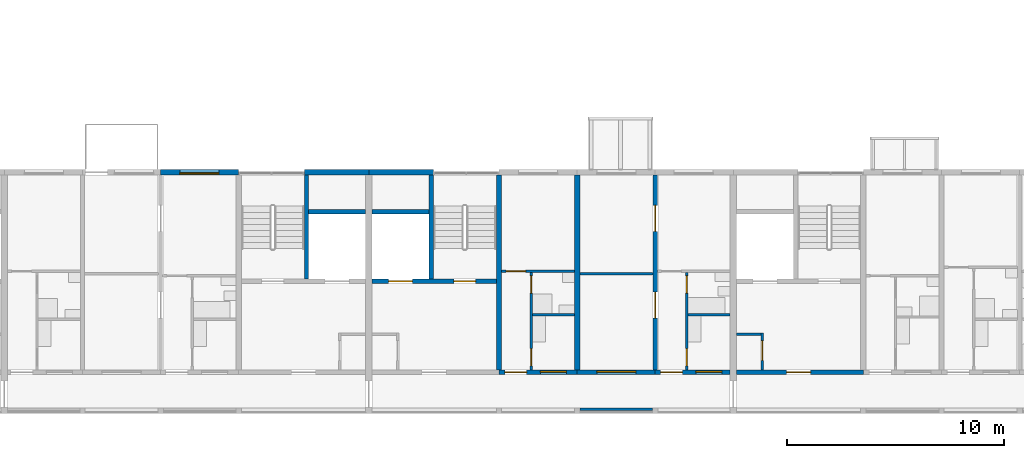
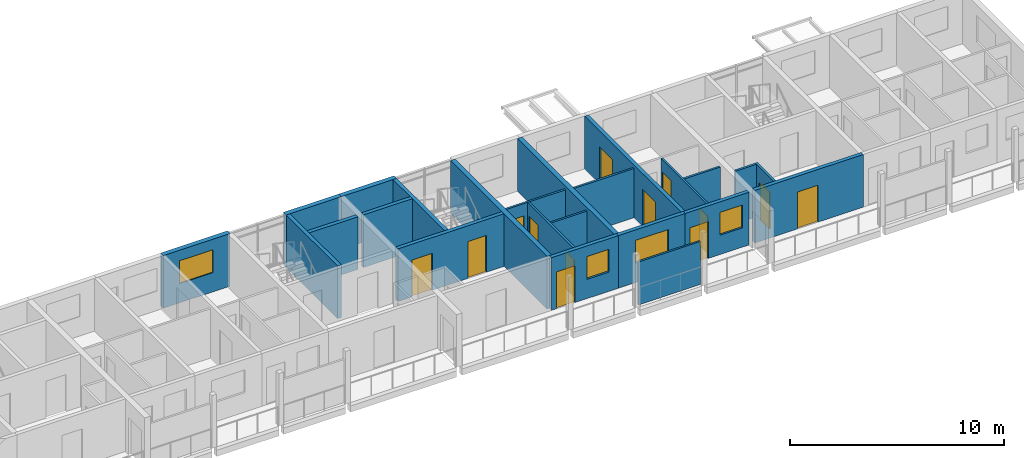
# One storey, part 52 of 99: 24 walls, 13 doors, 4 windows, 17 openings.
"""IFC4 building model written with IfcOpenShell, lengths in metres."""

import ifcopenshell
import ifcopenshell.guid

model = None  # the IFC model being written
_history = None  # IfcOwnerHistory: only IFC2X3 demands one
_inside = {}  # id of a spatial element -> (the spatial element, [elements in it])
_under = {}  # id of a project, library or spatial element -> (it, [spatial elements below it])
_declared = {}  # id of a project -> (the project, [libraries it declares])
_typed = {}  # id of a type object -> (the type object, [elements of that type])
_made_of = {}  # id of a material, layer set ... -> (it, [elements and type objects made of it])


def new_model(schema):
    """Start an empty IFC model of exactly this schema.

    Asked for "IFC4X3", IfcOpenShell would pick the latest addendum, in which some entities
    have other attributes; the version numbers below select the first issue.
    IFC2X3 requires an IfcOwnerHistory on every rooted entity: one is made here for all.
    """
    global model, _history
    if schema == "IFC4X3":
        model = ifcopenshell.file(schema_version=(4, 3, 0, 0))
    else:
        model = ifcopenshell.file(schema=schema)
    _inside.clear()
    _under.clear()
    _declared.clear()
    _typed.clear()
    _made_of.clear()
    _history = None
    if model.schema == "IFC2X3":
        org = make("IfcOrganization", Name="unknown")
        user = make(
            "IfcPersonAndOrganization",
            ThePerson=make("IfcPerson", FamilyName="unknown"),
            TheOrganization=org,
        )
        app = make(
            "IfcApplication",
            ApplicationDeveloper=org,
            Version="unknown",
            ApplicationFullName="unknown",
            ApplicationIdentifier="unknown",
        )
        _history = make(
            "IfcOwnerHistory",
            OwningUser=user,
            OwningApplication=app,
            ChangeAction="ADDED",
            CreationDate=0,
        )
    return model


def make(cls, **values):
    """One entity of the class cls with the attributes given. An attribute that is None is left unset."""
    return model.create_entity(
        cls, **{name: value for name, value in values.items() if value is not None}
    )


def rooted(cls, **values):
    """An entity with a GlobalId (a new one), such as an element, a storey or a relation."""
    return make(cls, GlobalId=ifcopenshell.guid.new(), OwnerHistory=_history, **values)


def si_unit(unit_type, name, prefix=None):
    """IfcSIUnit, for example si_unit("LENGTHUNIT", "METRE", prefix="MILLI")."""
    return make("IfcSIUnit", UnitType=unit_type, Prefix=prefix, Name=name)


def assignment(units):
    """IfcUnitAssignment: the units of a project."""
    return None if units is None else make("IfcUnitAssignment", Units=units)


def point(xyz):
    """IfcCartesianPoint."""
    return None if xyz is None else make("IfcCartesianPoint", Coordinates=xyz)


def direction(xyz):
    """IfcDirection."""
    return None if xyz is None else make("IfcDirection", DirectionRatios=xyz)


def frame(location, z_axis=None, x_axis=None):
    """IfcAxis2Placement3D, a coordinate frame: its origin and axes. An axis left out is left unset."""
    return make(
        "IfcAxis2Placement3D",
        Location=point(location),
        Axis=direction(z_axis),
        RefDirection=direction(x_axis),
    )


def frame_2d(location, x_axis=None):
    """IfcAxis2Placement2D, a coordinate frame in the plane: its origin and x axis."""
    return make(
        "IfcAxis2Placement2D", Location=point(location), RefDirection=direction(x_axis)
    )


def origin():
    """The frame at (0, 0, 0) with its axes left unset."""
    return frame((0.0, 0.0, 0.0))


def place(relative_to, where):
    """IfcLocalPlacement: puts the frame where relative to a parent placement (None: the world)."""
    return make(
        "IfcLocalPlacement", PlacementRelTo=relative_to, RelativePlacement=where
    )


def context(
    kind, dimensions, precision=None, world=None, true_north=None, identifier=None
):
    """IfcGeometricRepresentationContext, for example the 3D "Model" context."""
    return make(
        "IfcGeometricRepresentationContext",
        ContextIdentifier=identifier,
        ContextType=kind,
        CoordinateSpaceDimension=dimensions,
        Precision=precision,
        WorldCoordinateSystem=world,
        TrueNorth=true_north,
    )


def subcontext(parent, identifier, kind, view, scale=None):
    """IfcGeometricRepresentationSubContext, for example "Body" below "Model"."""
    return make(
        "IfcGeometricRepresentationSubContext",
        ContextIdentifier=identifier,
        ContextType=kind,
        ParentContext=parent,
        TargetScale=scale,
        TargetView=view,
    )


def project(units=None, contexts=None):
    """IfcProject with its units and contexts."""
    return rooted(
        "IfcProject",
        Name="project",
        RepresentationContexts=contexts,
        UnitsInContext=assignment(units),
    )


def spatial(cls, under=None, at=None, **own):
    """A site, building, storey or space (cls), placed at a placement, below another one or the project."""
    s = rooted(cls, ObjectPlacement=at, **own)
    if under is not None:
        _under.setdefault(under.id(), (under, []))[1].append(s)
    return s


def profile(cls, at=None, kind="AREA", **sizes):
    """A parametric profile (cls). Its sizes go by their IFC names, for example OverallWidth=200.0."""
    return make(cls, ProfileType=kind, Position=at, **sizes)


def rectangle(**sizes):
    """IfcRectangleProfileDef."""
    return profile("IfcRectangleProfileDef", **sizes)


def extrude(swept, where, along, depth):
    """IfcExtrudedAreaSolid: the profile swept, set in the frame where, extruded along a direction by depth."""
    return make(
        "IfcExtrudedAreaSolid",
        SweptArea=swept,
        Position=where,
        ExtrudedDirection=direction(along),
        Depth=depth,
    )


def shape(context_of_items, identifier, shape_type, items):
    """IfcShapeRepresentation: the items that make up one representation, for example the "Body"."""
    return make(
        "IfcShapeRepresentation",
        ContextOfItems=context_of_items,
        RepresentationIdentifier=identifier,
        RepresentationType=shape_type,
        Items=items,
    )


def material(Name=None, Category=None):
    """IfcMaterial."""
    return make("IfcMaterial", Name=Name, Category=Category)


def layer(
    of_material, thickness, ventilated=None, Name=None, Category=None, Priority=None
):
    """IfcMaterialLayer: one layer of a wall or slab, of a material (None: an air gap)."""
    return make(
        "IfcMaterialLayer",
        Material=of_material,
        LayerThickness=thickness,
        IsVentilated=ventilated,
        Name=Name,
        Category=Category,
        Priority=Priority,
    )


def layer_set(layers, Name=None):
    """IfcMaterialLayerSet."""
    return make("IfcMaterialLayerSet", MaterialLayers=layers, LayerSetName=Name)


def made_of(thing, what):
    """Note that an element or type object is made of a material, layer set ...; save() writes the relation."""
    if what is not None:
        _made_of.setdefault(what.id(), (what, []))[1].append(thing)
    return thing


def type_object(cls, material=None, **own):
    """A type object (cls), such as IfcWallType, which elements share."""
    return made_of(rooted(cls, **own), material)


def element(
    cls,
    number,
    at=None,
    inside=None,
    cuts=None,
    type_object=None,
    material=None,
    context=None,
    identifier="Body",
    shape_type=None,
    held_by="IfcProductDefinitionShape",
    body=None,
    shapes=None,
    **own,
):
    """One element of the class cls, such as IfcWall. Its Tag is "e" and its number.

    at: its placement. inside: the storey or other place that contains it. cuts: it is an
    opening in that element (IfcRelVoidsElement). A single representation is given by context,
    identifier, shape_type and body (its items); several are given by shapes. held_by: the class
    of the entity that holds the representations. save() writes the other relations.
    """
    e = rooted(cls, Tag="e%d" % number, ObjectPlacement=at, **own)
    if body is not None:
        shapes = [shape(context, identifier, shape_type, body)]
    if shapes is not None:
        e.Representation = make(held_by, Representations=shapes)
    if inside is not None:
        _inside.setdefault(inside.id(), (inside, []))[1].append(e)
    if cuts is not None:
        rooted(
            "IfcRelVoidsElement", RelatingBuildingElement=cuts, RelatedOpeningElement=e
        )
    if type_object is not None:
        _typed.setdefault(type_object.id(), (type_object, []))[1].append(e)
    return made_of(e, material)


def fill(opening, filler):
    """IfcRelFillsElement: the door or window that sits in an opening."""
    return rooted(
        "IfcRelFillsElement",
        RelatingOpeningElement=opening,
        RelatedBuildingElement=filler,
    )


def aggregate(whole, parts):
    """IfcRelAggregates: a whole, such as a stair, and the parts it consists of."""
    return rooted("IfcRelAggregates", RelatingObject=whole, RelatedObjects=parts)


def save(model, path):
    """Write the relations noted so far, then the file.

    IfcRelAggregates (storeys below a building ...), IfcRelContainedInSpatialStructure (elements
    in a storey), IfcRelDefinesByType, IfcRelAssociatesMaterial and IfcRelDeclares: one each for
    every whole, place, type object, material and project.
    """
    for whole, parts in _under.values():
        aggregate(whole, parts)
    for where, things in _inside.values():
        rooted(
            "IfcRelContainedInSpatialStructure",
            RelatedElements=things,
            RelatingStructure=where,
        )
    for kind, things in _typed.values():
        rooted("IfcRelDefinesByType", RelatedObjects=things, RelatingType=kind)
    for what, things in _made_of.values():
        rooted("IfcRelAssociatesMaterial", RelatedObjects=things, RelatingMaterial=what)
    for by, libraries in _declared.values():
        rooted("IfcRelDeclares", RelatingContext=by, RelatedDefinitions=libraries)
    model.write(path)


model = new_model("IFC4")

# Units and contexts
model_context = context("Model", 3, precision=1e-05, world=origin(), true_north=direction((0.0, 1.0)))
body_context = subcontext(model_context, "Body", "Model", "MODEL_VIEW")
ifc_project = project(units=[si_unit("LENGTHUNIT", "METRE"), si_unit("AREAUNIT", "SQUARE_METRE"), si_unit("VOLUMEUNIT", "CUBIC_METRE"), si_unit("PLANEANGLEUNIT", "RADIAN"), si_unit("MASSUNIT", "GRAM", prefix="KILO")], contexts=[model_context])

# Site, building, storey
site_placement = place(None, origin())
site = spatial("IfcSite", under=ifc_project, at=site_placement, CompositionType="ELEMENT")
building_placement = place(site_placement, origin())
building = spatial("IfcBuilding", under=site, at=building_placement, Name="Ridgestep Commons", CompositionType="ELEMENT")
storey_placement = place(building_placement, frame((0.0, 0.0, 15.0)))
storey = spatial("IfcBuildingStorey", under=building, at=storey_placement, Name="L05", CompositionType="ELEMENT", Elevation=15.0)

# Wall
ifc_material_1 = material(Name="Concrete C30/37", Category="concrete")
ifc_layer_1 = layer(ifc_material_1, 0.25)
ifc_layer_set_1 = layer_set([ifc_layer_1], Name="Core cross wall 250")
wall_type_1 = type_object("IfcWallType", Name="Core cross wall 250", PredefinedType="SHEAR", material=ifc_layer_set_1)
wall_1_placement = place(storey_placement, frame((220.0, 13.75, 0.0), z_axis=(0.0, 0.0, 1.0), x_axis=(0.0, 1.0, 0.0)))
element("IfcWall", 1, at=wall_1_placement, inside=storey, type_object=wall_type_1, Name="Cross wall D-05-2200", PredefinedType="SHEAR", context=body_context, shape_type="SweptSolid", body=[
    extrude(rectangle(XDim=9.0, YDim=0.25, at=frame_2d((4.5, 0.0))), origin(), (0.0, 0.0, 1.0), 3.0),
])

# Wall, opening, door
ifc_material_2 = material(Name="Concrete C30/37", Category="concrete")
ifc_layer_2 = layer(ifc_material_2, 0.199951171875)
ifc_layer_set_2 = layer_set([ifc_layer_2], Name="Core south wall 200")
wall_type_2 = type_object("IfcWallType", Name="Core south wall 200", PredefinedType="SHEAR", material=ifc_layer_set_2)
wall_2_placement = place(storey_placement, frame((230.949951171875, 13.64990234375, 0.0), z_axis=(0.0, 0.0, 1.0), x_axis=(1.0, 0.0, 0.0)))
wall_2 = element("IfcWall", 2, at=wall_2_placement, inside=storey, type_object=wall_type_2, Name="Core south wall D6C L05", PredefinedType="SHEAR", context=body_context, shape_type="SweptSolid", body=[
    extrude(rectangle(XDim=5.85009765625, YDim=0.199951171875, at=frame_2d((2.925048828125, 0.0))), origin(), (0.0, 0.0, 1.0), 3.0),
])
opening_1_placement = place(wall_2_placement, frame((2.3125, 0.0, 0.0)))
opening_1 = element("IfcOpeningElement", 3, at=opening_1_placement, cuts=wall_2, Name="Opening D6C/05/1", PredefinedType="OPENING", context=body_context, shape_type="SweptSolid", body=[
    extrude(rectangle(XDim=1.10009765625, YDim=2.10009765625, at=frame_2d((0.550048828125, 1.050048828125))), frame((0.0, 0.10986328125, 0.0), z_axis=(0.0, -1.0, 0.0), x_axis=(1.0, 0.0, 0.0)), (0.0, 0.0, 1.0), 0.219970703125),
])
ifc_material_3 = material(Name="Steel fire door", Category="steel")
door_type_1 = type_object("IfcDoorType", Name="Lobby door 1100 x 2100 FD60", OperationType="NOTDEFINED", PredefinedType="DOOR", material=ifc_material_3)
door_1_placement = place(opening_1_placement, origin())
door_1 = element("IfcDoor", 4, at=door_1_placement, inside=storey, type_object=door_type_1, Name="Lobby door D6C/05/1", OperationType="SINGLE_SWING_LEFT", OverallHeight=2.10009765625, OverallWidth=1.10009765625, PredefinedType="DOOR", context=body_context, shape_type="SweptSolid", body=[
    extrude(rectangle(XDim=1.10009765625, YDim=2.10009765625, at=frame_2d((0.550048828125, 1.050048828125))), frame((0.0, 0.02490234375, 0.0), z_axis=(0.0, -1.0, 0.0), x_axis=(1.0, 0.0, 0.0)), (0.0, 0.0, 1.0), 0.050048828125),
])
fill(opening_1, door_1)

ifc_material_4 = material(Name="Concrete C30/37", Category="concrete")
ifc_layer_3 = layer(ifc_material_4, 0.1201171875)
ifc_layer_set_3 = layer_set([ifc_layer_3], Name="Core wall 120")
wall_type_3 = type_object("IfcWallType", Name="Core wall 120", PredefinedType="SHEAR", material=ifc_layer_set_3)
wall_3_placement = place(storey_placement, frame((232.139892578125, 13.75, 0.0), z_axis=(0.0, 0.0, 1.0), x_axis=(0.0, 1.0, 0.0)))
wall_3 = element("IfcWall", 5, at=wall_3_placement, inside=storey, type_object=wall_type_3, Name="Core riser w wall D6C L05", PredefinedType="SHEAR", context=body_context, shape_type="SweptSolid", body=[
    extrude(rectangle(XDim=1.719970703125, YDim=0.1201171875, at=frame_2d((0.85986328125, 0.0))), origin(), (0.0, 0.0, 1.0), 3.0),
])
opening_2_placement = place(wall_3_placement, frame((0.449951171875, 0.0, 0.0)))
opening_2 = element("IfcOpeningElement", 6, at=opening_2_placement, cuts=wall_3, Name="Opening D6C/05/4", PredefinedType="OPENING", context=body_context, shape_type="SweptSolid", body=[
    extrude(rectangle(XDim=0.89990234375, YDim=2.10009765625, at=frame_2d((0.449951171875, 1.050048828125))), frame((0.0, 0.070068359375, 0.0), z_axis=(0.0, -1.0, 0.0), x_axis=(1.0, 0.0, 0.0)), (0.0, 0.0, 1.0), 0.14013671875),
])
ifc_material_5 = material(Name="Steel fire door", Category="steel")
door_type_2 = type_object("IfcDoorType", Name="Riser door 900 x 2100 FD60", OperationType="NOTDEFINED", PredefinedType="DOOR", material=ifc_material_5)
door_2_placement = place(opening_2_placement, origin())
door_2 = element("IfcDoor", 7, at=door_2_placement, inside=storey, type_object=door_type_2, Name="Riser door D6C/05/4", OperationType="SINGLE_SWING_RIGHT", OverallHeight=2.10009765625, OverallWidth=0.89990234375, PredefinedType="DOOR", context=body_context, shape_type="SweptSolid", body=[
    extrude(rectangle(XDim=0.89990234375, YDim=2.10009765625, at=frame_2d((0.449951171875, 1.050048828125))), frame((0.0, 0.02490234375, 0.0), z_axis=(0.0, -1.0, 0.0), x_axis=(1.0, 0.0, 0.0)), (0.0, 0.0, 1.0), 0.050048828125),
])
fill(opening_2, door_2)

# Walls
wall_4_placement = place(storey_placement, frame((230.949951171875, 15.409912109375, 0.0), z_axis=(0.0, 0.0, 1.0), x_axis=(1.0, 0.0, 0.0)))
element("IfcWall", 8, at=wall_4_placement, inside=storey, type_object=wall_type_3, Name="Core riser n wall D6C L05", PredefinedType="SHEAR", context=body_context, shape_type="SweptSolid", body=[
    extrude(rectangle(XDim=1.130126953125, YDim=0.1201171875, at=frame_2d((0.56494140625, 0.0))), origin(), (0.0, 0.0, 1.0), 3.0),
])
ifc_material_6 = material(Name="Concrete C30/37", Category="concrete")
ifc_layer_4 = layer(ifc_material_6, 0.199951171875)
ifc_layer_set_4 = layer_set([ifc_layer_4], Name="Core wall 200")
wall_type_4 = type_object("IfcWallType", Name="Core wall 200", PredefinedType="SHEAR", material=ifc_layer_set_4)
wall_5_placement = place(storey_placement, frame((211.125, 17.949951171875, 0.0), z_axis=(0.0, 0.0, 1.0), x_axis=(0.0, 1.0, 0.0)))
element("IfcWall", 9, at=wall_5_placement, inside=storey, type_object=wall_type_4, Name="Core stair wall D4C L05", PredefinedType="SHEAR", context=body_context, shape_type="SweptSolid", body=[
    extrude(rectangle(XDim=4.800048828125, YDim=0.199951171875, at=frame_2d((2.39990234375, 0.0))), origin(), (0.0, 0.0, 1.0), 3.0),
])
wall_6_placement = place(storey_placement, frame((211.22509765625, 21.050048828125, 0.0), z_axis=(0.0, 0.0, 1.0), x_axis=(1.0, 0.0, 0.0)))
element("IfcWall", 10, at=wall_6_placement, inside=storey, type_object=wall_type_4, Name="Core duct wall D4C L05", PredefinedType="SHEAR", context=body_context, shape_type="SweptSolid", body=[
    extrude(rectangle(XDim=2.625, YDim=0.199951171875, at=frame_2d((1.3125, 0.0))), origin(), (0.0, 0.0, 1.0), 3.0),
])

# Wall, openings, doors
wall_7_placement = place(storey_placement, frame((214.14990234375, 17.85009765625, 0.0), z_axis=(0.0, 0.0, 1.0), x_axis=(1.0, 0.0, 0.0)))
wall_7 = element("IfcWall", 11, at=wall_7_placement, inside=storey, type_object=wall_type_4, Name="Core lobby wall D5C L05", PredefinedType="SHEAR", context=body_context, shape_type="SweptSolid", body=[
    extrude(rectangle(XDim=5.72509765625, YDim=0.199951171875, at=frame_2d((2.862548828125, 0.0))), origin(), (0.0, 0.0, 1.0), 3.0),
])
opening_3_placement = place(wall_7_placement, frame((3.77490234375, 0.0, 0.0)))
opening_3 = element("IfcOpeningElement", 12, at=opening_3_placement, cuts=wall_7, Name="Opening D5C/05/2", PredefinedType="OPENING", context=body_context, shape_type="SweptSolid", body=[
    extrude(rectangle(XDim=1.0, YDim=2.10009765625, at=frame_2d((0.5, 1.050048828125))), frame((0.0, 0.10986328125, 0.0), z_axis=(0.0, -1.0, 0.0), x_axis=(1.0, 0.0, 0.0)), (0.0, 0.0, 1.0), 0.219970703125),
])
opening_4_placement = place(wall_7_placement, frame((0.762451171875, 0.0, 0.0)))
opening_4 = element("IfcOpeningElement", 13, at=opening_4_placement, cuts=wall_7, Name="Opening D5C/05/3", PredefinedType="OPENING", context=body_context, shape_type="SweptSolid", body=[
    extrude(rectangle(XDim=1.10009765625, YDim=2.10009765625, at=frame_2d((0.550048828125, 1.050048828125))), frame((0.0, 0.10986328125, 0.0), z_axis=(0.0, -1.0, 0.0), x_axis=(1.0, 0.0, 0.0)), (0.0, 0.0, 1.0), 0.219970703125),
])
ifc_material_7 = material(Name="Stainless steel", Category="steel")
door_type_3 = type_object("IfcDoorType", Name="Lift landing door 1100 x 2100 FD60", OperationType="DOUBLE_DOOR_SLIDING", PredefinedType="DOOR", material=ifc_material_7)
door_3_placement = place(opening_4_placement, origin())
door_3 = element("IfcDoor", 14, at=door_3_placement, inside=storey, type_object=door_type_3, Name="Landing door LD D5C L05", OperationType="DOUBLE_DOOR_SLIDING", OverallHeight=2.10009765625, OverallWidth=1.10009765625, PredefinedType="DOOR", context=body_context, shape_type="SweptSolid", body=[
    extrude(rectangle(XDim=1.10009765625, YDim=2.10009765625, at=frame_2d((0.550048828125, 1.050048828125))), frame((0.0, 0.02490234375, 0.0), z_axis=(0.0, -1.0, 0.0), x_axis=(1.0, 0.0, 0.0)), (0.0, 0.0, 1.0), 0.050048828125),
])
fill(opening_4, door_3)
ifc_material_8 = material(Name="Steel fire door", Category="steel")
door_type_4 = type_object("IfcDoorType", Name="Stair door 1000 x 2100 FD60", OperationType="NOTDEFINED", PredefinedType="DOOR", material=ifc_material_8)
door_4_placement = place(opening_3_placement, origin())
door_4 = element("IfcDoor", 15, at=door_4_placement, inside=storey, type_object=door_type_4, Name="Stair door D5C/05/2", OperationType="SINGLE_SWING_RIGHT", OverallHeight=2.10009765625, OverallWidth=1.0, PredefinedType="DOOR", context=body_context, shape_type="SweptSolid", body=[
    extrude(rectangle(XDim=1.0, YDim=2.10009765625, at=frame_2d((0.5, 1.050048828125))), frame((0.0, 0.02490234375, 0.0), z_axis=(0.0, -1.0, 0.0), x_axis=(1.0, 0.0, 0.0)), (0.0, 0.0, 1.0), 0.050048828125),
])
fill(opening_3, door_4)

# Walls
wall_8_placement = place(storey_placement, frame((216.875, 17.949951171875, 0.0), z_axis=(0.0, 0.0, 1.0), x_axis=(0.0, 1.0, 0.0)))
element("IfcWall", 16, at=wall_8_placement, inside=storey, type_object=wall_type_4, Name="Core stair wall D5C L05", PredefinedType="SHEAR", context=body_context, shape_type="SweptSolid", body=[
    extrude(rectangle(XDim=4.800048828125, YDim=0.199951171875, at=frame_2d((2.39990234375, 0.0))), origin(), (0.0, 0.0, 1.0), 3.0),
])
wall_9_placement = place(storey_placement, frame((214.14990234375, 21.050048828125, 0.0), z_axis=(0.0, 0.0, 1.0), x_axis=(1.0, 0.0, 0.0)))
element("IfcWall", 17, at=wall_9_placement, inside=storey, type_object=wall_type_4, Name="Core duct wall D5C L05", PredefinedType="SHEAR", context=body_context, shape_type="SweptSolid", body=[
    extrude(rectangle(XDim=2.625, YDim=0.199951171875, at=frame_2d((1.3125, 0.0))), origin(), (0.0, 0.0, 1.0), 3.0),
])

# Wall, openings, doors
ifc_material_9 = material(Name="Precast concrete C40/50", Category="concrete")
ifc_layer_5 = layer(ifc_material_9, 0.199951171875)
ifc_layer_set_5 = layer_set([ifc_layer_5], Name="Cross wall 200")
wall_type_5 = type_object("IfcWallType", Name="Cross wall 200", PredefinedType="SHEAR", material=ifc_layer_set_5)
wall_10_placement = place(storey_placement, frame((227.199951171875, 13.75, 0.0), z_axis=(0.0, 0.0, 1.0), x_axis=(0.0, 1.0, 0.0)))
wall_10 = element("IfcWall", 18, at=wall_10_placement, inside=storey, type_object=wall_type_5, Name="Cross wall D-05-2272", PredefinedType="SHEAR", context=body_context, shape_type="SweptSolid", body=[
    extrude(rectangle(XDim=9.0, YDim=0.199951171875, at=frame_2d((4.5, 0.0))), origin(), (0.0, 0.0, 1.0), 3.0),
])
opening_5_placement = place(wall_10_placement, frame((2.39990234375, 0.0, 0.0)))
opening_5 = element("IfcOpeningElement", 19, at=opening_5_placement, cuts=wall_10, Name="Opening D5-05a/5", PredefinedType="OPENING", context=body_context, shape_type="SweptSolid", body=[
    extrude(rectangle(XDim=1.199951171875, YDim=2.10009765625, at=frame_2d((0.60009765625, 1.050048828125))), frame((0.0, 0.10986328125, 0.0), z_axis=(0.0, -1.0, 0.0), x_axis=(1.0, 0.0, 0.0)), (0.0, 0.0, 1.0), 0.219970703125),
])
opening_6_placement = place(wall_10_placement, frame((6.39990234375, 0.0, 0.0)))
opening_6 = element("IfcOpeningElement", 20, at=opening_6_placement, cuts=wall_10, Name="Opening D5-05a/6", PredefinedType="OPENING", context=body_context, shape_type="SweptSolid", body=[
    extrude(rectangle(XDim=1.199951171875, YDim=2.10009765625, at=frame_2d((0.60009765625, 1.050048828125))), frame((0.0, 0.10986328125, 0.0), z_axis=(0.0, -1.0, 0.0), x_axis=(1.0, 0.0, 0.0)), (0.0, 0.0, 1.0), 0.219970703125),
])
ifc_material_10 = material(Name="Timber door leaf", Category="wood")
door_type_5 = type_object("IfcDoorType", Name="Double door 1200 x 2100", OperationType="DOUBLE_DOOR_SINGLE_SWING", PredefinedType="DOOR", material=ifc_material_10)
door_5_placement = place(opening_5_placement, origin())
door_5 = element("IfcDoor", 21, at=door_5_placement, inside=storey, type_object=door_type_5, Name="Double door D5-05a/5", OperationType="DOUBLE_DOOR_SINGLE_SWING", OverallHeight=2.10009765625, OverallWidth=1.199951171875, PredefinedType="DOOR", context=body_context, shape_type="SweptSolid", body=[
    extrude(rectangle(XDim=1.199951171875, YDim=2.10009765625, at=frame_2d((0.60009765625, 1.050048828125))), frame((0.0, 0.02490234375, 0.0), z_axis=(0.0, -1.0, 0.0), x_axis=(1.0, 0.0, 0.0)), (0.0, 0.0, 1.0), 0.050048828125),
])
fill(opening_5, door_5)
door_6_placement = place(opening_6_placement, origin())
door_6 = element("IfcDoor", 22, at=door_6_placement, inside=storey, type_object=door_type_5, Name="Double door D5-05a/6", OperationType="DOUBLE_DOOR_SINGLE_SWING", OverallHeight=2.10009765625, OverallWidth=1.199951171875, PredefinedType="DOOR", context=body_context, shape_type="SweptSolid", body=[
    extrude(rectangle(XDim=1.199951171875, YDim=2.10009765625, at=frame_2d((0.60009765625, 1.050048828125))), frame((0.0, 0.02490234375, 0.0), z_axis=(0.0, -1.0, 0.0), x_axis=(1.0, 0.0, 0.0)), (0.0, 0.0, 1.0), 0.050048828125),
])
fill(opening_6, door_6)

# Wall
ifc_material_11 = material(Name="Precast concrete C40/50", Category="concrete")
ifc_layer_6 = layer(ifc_material_11, 0.25)
ifc_layer_set_6 = layer_set([ifc_layer_6], Name="Cross wall 250")
wall_type_6 = type_object("IfcWallType", Name="Cross wall 250", PredefinedType="SHEAR", material=ifc_layer_set_6)
wall_11_placement = place(storey_placement, frame((223.60009765625, 13.75, 0.0), z_axis=(0.0, 0.0, 1.0), x_axis=(0.0, 1.0, 0.0)))
element("IfcWall", 23, at=wall_11_placement, inside=storey, type_object=wall_type_6, Name="Cross wall D-05-2236", PredefinedType="SHEAR", context=body_context, shape_type="SweptSolid", body=[
    extrude(rectangle(XDim=9.0, YDim=0.25, at=frame_2d((4.5, 0.0))), origin(), (0.0, 0.0, 1.0), 3.0),
])

# Wall, opening, window
ifc_material_12 = material(Name="Precast concrete C40/50", Category="concrete")
ifc_layer_7 = layer(ifc_material_12, 0.25)
ifc_layer_set_7 = layer_set([ifc_layer_7], Name="North facade panel 250")
wall_type_7 = type_object("IfcWallType", Name="North facade panel 250", PredefinedType="SOLIDWALL", material=ifc_layer_set_7)
wall_12_placement = place(storey_placement, frame((204.39990234375, 22.875, 0.0), z_axis=(0.0, 0.0, 1.0), x_axis=(1.0, 0.0, 0.0)))
wall_12 = element("IfcWall", 24, at=wall_12_placement, inside=storey, type_object=wall_type_7, Name="North panel D4T3 L05", PredefinedType="SOLIDWALL", context=body_context, shape_type="SweptSolid", body=[
    extrude(rectangle(XDim=3.60009765625, YDim=0.25, at=frame_2d((1.800048828125, 0.0))), origin(), (0.0, 0.0, 1.0), 3.0),
])
opening_7_placement = place(wall_12_placement, frame((0.887451171875, 0.0, 1.10009765625)))
opening_7 = element("IfcOpeningElement", 25, at=opening_7_placement, cuts=wall_12, Name="Opening W18", PredefinedType="OPENING", context=body_context, shape_type="SweptSolid", body=[
    extrude(rectangle(XDim=1.800048828125, YDim=1.300048828125, at=frame_2d((0.89990234375, 0.64990234375))), frame((0.0, 0.135009765625, 0.0), z_axis=(0.0, -1.0, 0.0), x_axis=(1.0, 0.0, 0.0)), (0.0, 0.0, 1.0), 0.27001953125),
])
ifc_material_13 = material(Name="Aluminium 6063-T6 and glass", Category="aluminium")
window_type_1 = type_object("IfcWindowType", Name="Flat window 1800 x 1300", PartitioningType="DOUBLE_PANEL_VERTICAL", PredefinedType="WINDOW", material=ifc_material_13)
window_1_placement = place(opening_7_placement, origin())
window_1 = element("IfcWindow", 26, at=window_1_placement, inside=storey, type_object=window_type_1, Name="Window D4-05b 4", OverallHeight=1.300048828125, OverallWidth=1.800048828125, PartitioningType="SINGLE_PANEL", PredefinedType="WINDOW", context=body_context, shape_type="SweptSolid", body=[
    extrude(rectangle(XDim=1.800048828125, YDim=1.300048828125, at=frame_2d((0.89990234375, 0.64990234375))), frame((0.0, -0.02490234375, 0.0), z_axis=(0.0, -1.0, 0.0), x_axis=(1.0, 0.0, 0.0)), (0.0, 0.0, 1.0), 0.06005859375),
])
fill(opening_7, window_1)

# Walls
for number, where, z_axis, x_axis, name in (
    (27, (211.02490234375, 22.875, 0.0), (0.0, 0.0, 1.0), (1.0, 0.0, 0.0), "North panel D4C L05"),
    (28, (214.0, 22.875, 0.0), (0.0, 0.0, 1.0), (1.0, 0.0, 0.0), "North panel D5C L05"),
):
    element("IfcWall", number, at=place(storey_placement, frame(where, z_axis=z_axis, x_axis=x_axis)), inside=storey, type_object=wall_type_7, Name=name, PredefinedType="SOLIDWALL", context=body_context, shape_type="SweptSolid", body=[
        extrude(rectangle(XDim=2.97509765625, YDim=0.25, at=frame_2d((1.487548828125, 0.0))), origin(), (0.0, 0.0, 1.0), 3.0),
    ])

# Wall, openings, doors
ifc_material_14 = material(Name="Common brick 110 mm", Category="masonry")
ifc_layer_8 = layer(ifc_material_14, 0.110107421875)
ifc_layer_set_8 = layer_set([ifc_layer_8], Name="Partition 110")
wall_type_8 = type_object("IfcWallType", Name="Partition 110", PredefinedType="PARTITIONING", material=ifc_layer_set_8)
wall_13_placement = place(storey_placement, frame((228.655029296875, 13.75, 0.0), z_axis=(0.0, 0.0, 1.0), x_axis=(0.0, 1.0, 0.0)))
wall_13 = element("IfcWall", 29, at=wall_13_placement, inside=storey, type_object=wall_type_8, Name="Partition D5-05a", PredefinedType="PARTITIONING", context=body_context, shape_type="SweptSolid", body=[
    extrude(rectangle(XDim=4.5, YDim=0.110107421875, at=frame_2d((2.25, 0.0))), origin(), (0.0, 0.0, 1.0), 2.800048828125),
])
opening_8_placement = place(wall_13_placement, frame((0.199951171875, 0.0, 0.0)))
opening_8 = element("IfcOpeningElement", 30, at=opening_8_placement, cuts=wall_13, Name="Opening D5-05a/2", PredefinedType="OPENING", context=body_context, shape_type="SweptSolid", body=[
    extrude(rectangle(XDim=0.800048828125, YDim=2.10009765625, at=frame_2d((0.39990234375, 1.050048828125))), frame((0.0, 0.06494140625, 0.0), z_axis=(0.0, -1.0, 0.0), x_axis=(1.0, 0.0, 0.0)), (0.0, 0.0, 1.0), 0.130126953125),
])
opening_9_placement = place(wall_13_placement, frame((3.550048828125, 0.0, 0.0)))
opening_9 = element("IfcOpeningElement", 31, at=opening_9_placement, cuts=wall_13, Name="Opening D5-05a/3", PredefinedType="OPENING", context=body_context, shape_type="SweptSolid", body=[
    extrude(rectangle(XDim=0.800048828125, YDim=2.10009765625, at=frame_2d((0.39990234375, 1.050048828125))), frame((0.0, 0.06494140625, 0.0), z_axis=(0.0, -1.0, 0.0), x_axis=(1.0, 0.0, 0.0)), (0.0, 0.0, 1.0), 0.130126953125),
])
ifc_material_15 = material(Name="Timber door leaf", Category="wood")
door_type_6 = type_object("IfcDoorType", Name="Internal door 800 x 2100", OperationType="NOTDEFINED", PredefinedType="DOOR", material=ifc_material_15)
door_7_placement = place(opening_8_placement, origin())
door_7 = element("IfcDoor", 32, at=door_7_placement, inside=storey, type_object=door_type_6, Name="Internal door D5-05a/2", OperationType="SINGLE_SWING_RIGHT", OverallHeight=2.10009765625, OverallWidth=0.800048828125, PredefinedType="DOOR", context=body_context, shape_type="SweptSolid", body=[
    extrude(rectangle(XDim=0.800048828125, YDim=2.10009765625, at=frame_2d((0.39990234375, 1.050048828125))), frame((0.0, 0.02490234375, 0.0), z_axis=(0.0, -1.0, 0.0), x_axis=(1.0, 0.0, 0.0)), (0.0, 0.0, 1.0), 0.050048828125),
])
fill(opening_8, door_7)
door_8_placement = place(opening_9_placement, origin())
door_8 = element("IfcDoor", 33, at=door_8_placement, inside=storey, type_object=door_type_6, Name="Internal door D5-05a/3", OperationType="SINGLE_SWING_LEFT", OverallHeight=2.10009765625, OverallWidth=0.800048828125, PredefinedType="DOOR", context=body_context, shape_type="SweptSolid", body=[
    extrude(rectangle(XDim=0.800048828125, YDim=2.10009765625, at=frame_2d((0.39990234375, 1.050048828125))), frame((0.0, 0.02490234375, 0.0), z_axis=(0.0, -1.0, 0.0), x_axis=(1.0, 0.0, 0.0)), (0.0, 0.0, 1.0), 0.050048828125),
])
fill(opening_9, door_8)

# Walls
wall_14_placement = place(storey_placement, frame((228.7099609375, 16.304931640625, 0.0), z_axis=(0.0, 0.0, 1.0), x_axis=(1.0, 0.0, 0.0)))
element("IfcWall", 34, at=wall_14_placement, inside=storey, type_object=wall_type_8, Name="Partition D5-05a", PredefinedType="PARTITIONING", context=body_context, shape_type="SweptSolid", body=[
    extrude(rectangle(XDim=1.93994140625, YDim=0.110107421875, at=frame_2d((0.969970703125, 0.0))), origin(), (0.0, 0.0, 1.0), 2.800048828125),
])
wall_15_placement = place(storey_placement, frame((223.72509765625, 18.205078125, 0.0), z_axis=(0.0, 0.0, 1.0), x_axis=(1.0, 0.0, 0.0)))
element("IfcWall", 35, at=wall_15_placement, inside=storey, type_object=wall_type_8, Name="Partition D5-05a", PredefinedType="PARTITIONING", context=body_context, shape_type="SweptSolid", body=[
    extrude(rectangle(XDim=3.375, YDim=0.110107421875, at=frame_2d((1.6875, 0.0))), origin(), (0.0, 0.0, 1.0), 2.800048828125),
])

# Wall, openings, doors
wall_16_placement = place(storey_placement, frame((221.47998046875, 13.75, 0.0), z_axis=(0.0, 0.0, 1.0), x_axis=(0.0, 1.0, 0.0)))
wall_16 = element("IfcWall", 36, at=wall_16_placement, inside=storey, type_object=wall_type_8, Name="Partition D5-05b", PredefinedType="PARTITIONING", context=body_context, shape_type="SweptSolid", body=[
    extrude(rectangle(XDim=4.5, YDim=0.110107421875, at=frame_2d((2.25, 0.0))), origin(), (0.0, 0.0, 1.0), 2.800048828125),
])
opening_10_placement = place(wall_16_placement, frame((0.199951171875, 0.0, 0.0)))
opening_10 = element("IfcOpeningElement", 37, at=opening_10_placement, cuts=wall_16, Name="Opening D5-05b/2", PredefinedType="OPENING", context=body_context, shape_type="SweptSolid", body=[
    extrude(rectangle(XDim=0.800048828125, YDim=2.10009765625, at=frame_2d((0.39990234375, 1.050048828125))), frame((0.0, 0.06494140625, 0.0), z_axis=(0.0, -1.0, 0.0), x_axis=(1.0, 0.0, 0.0)), (0.0, 0.0, 1.0), 0.130126953125),
])
opening_11_placement = place(wall_16_placement, frame((3.550048828125, 0.0, 0.0)))
opening_11 = element("IfcOpeningElement", 38, at=opening_11_placement, cuts=wall_16, Name="Opening D5-05b/3", PredefinedType="OPENING", context=body_context, shape_type="SweptSolid", body=[
    extrude(rectangle(XDim=0.800048828125, YDim=2.10009765625, at=frame_2d((0.39990234375, 1.050048828125))), frame((0.0, 0.06494140625, 0.0), z_axis=(0.0, -1.0, 0.0), x_axis=(1.0, 0.0, 0.0)), (0.0, 0.0, 1.0), 0.130126953125),
])
door_9_placement = place(opening_10_placement, origin())
door_9 = element("IfcDoor", 39, at=door_9_placement, inside=storey, type_object=door_type_6, Name="Internal door D5-05b/2", OperationType="SINGLE_SWING_RIGHT", OverallHeight=2.10009765625, OverallWidth=0.800048828125, PredefinedType="DOOR", context=body_context, shape_type="SweptSolid", body=[
    extrude(rectangle(XDim=0.800048828125, YDim=2.10009765625, at=frame_2d((0.39990234375, 1.050048828125))), frame((0.0, 0.02490234375, 0.0), z_axis=(0.0, -1.0, 0.0), x_axis=(1.0, 0.0, 0.0)), (0.0, 0.0, 1.0), 0.050048828125),
])
fill(opening_10, door_9)
door_10_placement = place(opening_11_placement, origin())
door_10 = element("IfcDoor", 40, at=door_10_placement, inside=storey, type_object=door_type_6, Name="Internal door D5-05b/3", OperationType="SINGLE_SWING_LEFT", OverallHeight=2.10009765625, OverallWidth=0.800048828125, PredefinedType="DOOR", context=body_context, shape_type="SweptSolid", body=[
    extrude(rectangle(XDim=0.800048828125, YDim=2.10009765625, at=frame_2d((0.39990234375, 1.050048828125))), frame((0.0, 0.02490234375, 0.0), z_axis=(0.0, -1.0, 0.0), x_axis=(1.0, 0.0, 0.0)), (0.0, 0.0, 1.0), 0.050048828125),
])
fill(opening_11, door_10)

# Wall
wall_17_placement = place(storey_placement, frame((221.534912109375, 16.304931640625, 0.0), z_axis=(0.0, 0.0, 1.0), x_axis=(1.0, 0.0, 0.0)))
element("IfcWall", 41, at=wall_17_placement, inside=storey, type_object=wall_type_8, Name="Partition D5-05b", PredefinedType="PARTITIONING", context=body_context, shape_type="SweptSolid", body=[
    extrude(rectangle(XDim=1.940185546875, YDim=0.110107421875, at=frame_2d((0.97021484375, 0.0))), origin(), (0.0, 0.0, 1.0), 2.800048828125),
])

# Wall, opening, door
wall_18_placement = place(storey_placement, frame((220.125, 18.304931640625, 0.0), z_axis=(0.0, 0.0, 1.0), x_axis=(1.0, 0.0, 0.0)))
wall_18 = element("IfcWall", 42, at=wall_18_placement, inside=storey, type_object=wall_type_8, Name="Partition D5-05b", PredefinedType="PARTITIONING", context=body_context, shape_type="SweptSolid", body=[
    extrude(rectangle(XDim=3.35009765625, YDim=0.110107421875, at=frame_2d((1.675048828125, 0.0))), origin(), (0.0, 0.0, 1.0), 2.800048828125),
])
opening_12_placement = place(wall_18_placement, frame((0.199951171875, 0.0, 0.0)))
opening_12 = element("IfcOpeningElement", 43, at=opening_12_placement, cuts=wall_18, Name="Opening D5-05b/4", PredefinedType="OPENING", context=body_context, shape_type="SweptSolid", body=[
    extrude(rectangle(XDim=0.89990234375, YDim=2.10009765625, at=frame_2d((0.449951171875, 1.050048828125))), frame((0.0, 0.06494140625, 0.0), z_axis=(0.0, -1.0, 0.0), x_axis=(1.0, 0.0, 0.0)), (0.0, 0.0, 1.0), 0.130126953125),
])
ifc_material_16 = material(Name="Timber door leaf", Category="wood")
door_type_7 = type_object("IfcDoorType", Name="Internal door 900 x 2100", OperationType="NOTDEFINED", PredefinedType="DOOR", material=ifc_material_16)
door_11_placement = place(opening_12_placement, origin())
door_11 = element("IfcDoor", 44, at=door_11_placement, inside=storey, type_object=door_type_7, Name="Internal door D5-05b/4", OperationType="SINGLE_SWING_LEFT", OverallHeight=2.10009765625, OverallWidth=0.89990234375, PredefinedType="DOOR", context=body_context, shape_type="SweptSolid", body=[
    extrude(rectangle(XDim=0.89990234375, YDim=2.10009765625, at=frame_2d((0.449951171875, 1.050048828125))), frame((0.0, 0.02490234375, 0.0), z_axis=(0.0, -1.0, 0.0), x_axis=(1.0, 0.0, 0.0)), (0.0, 0.0, 1.0), 0.050048828125),
])
fill(opening_12, door_11)

# Wall
ifc_material_17 = material(Name="Precast concrete C30/37", Category="concrete")
ifc_layer_9 = layer(ifc_material_17, 0.10009765625)
ifc_layer_set_9 = layer_set([ifc_layer_9], Name="Perforated gallery screen 3350 x 2450 x 100")
wall_type_9 = type_object("IfcWallType", Name="Perforated gallery screen 3350 x 2450 x 100", PredefinedType="SOLIDWALL", material=ifc_layer_set_9)
wall_19_placement = place(storey_placement, frame((223.72509765625, 11.949951171875, 0.0), z_axis=(0.0, 0.0, 1.0), x_axis=(1.0, 0.0, 0.0)))
element("IfcWall", 45, at=wall_19_placement, inside=storey, type_object=wall_type_9, Name="Gallery screen D5T2 05", PredefinedType="SOLIDWALL", context=body_context, shape_type="SweptSolid", body=[
    extrude(rectangle(XDim=3.349853515625, YDim=0.10009765625, at=frame_2d((1.6748046875, 0.0))), origin(), (0.0, 0.0, 1.0), 2.449951171875),
])

# Wall, openings, door, window
ifc_material_18 = material(Name="Precast concrete C40/50", Category="concrete")
ifc_layer_10 = layer(ifc_material_18, 0.199951171875)
ifc_layer_set_10 = layer_set([ifc_layer_10], Name="South facade panel 200")
wall_type_10 = type_object("IfcWallType", Name="South facade panel 200", PredefinedType="SOLIDWALL", material=ifc_layer_set_10)
wall_20_placement = place(storey_placement, frame((220.0, 13.64990234375, 0.0), z_axis=(0.0, 0.0, 1.0), x_axis=(1.0, 0.0, 0.0)))
wall_20 = element("IfcWall", 46, at=wall_20_placement, inside=storey, type_object=wall_type_10, Name="South panel D5T3 L05", PredefinedType="SOLIDWALL", context=body_context, shape_type="SweptSolid", body=[
    extrude(rectangle(XDim=3.60009765625, YDim=0.199951171875, at=frame_2d((1.800048828125, 0.0))), origin(), (0.0, 0.0, 1.0), 3.0),
])
opening_13_placement = place(wall_20_placement, frame((1.905029296875, 0.0, 1.10009765625)))
opening_13 = element("IfcOpeningElement", 47, at=opening_13_placement, cuts=wall_20, Name="Opening W08", PredefinedType="OPENING", context=body_context, shape_type="SweptSolid", body=[
    extrude(rectangle(XDim=1.199951171875, YDim=1.300048828125, at=frame_2d((0.60009765625, 0.64990234375))), frame((0.0, 0.10986328125, 0.0), z_axis=(0.0, -1.0, 0.0), x_axis=(1.0, 0.0, 0.0)), (0.0, 0.0, 1.0), 0.219970703125),
])
opening_14_placement = place(wall_20_placement, frame((0.27490234375, 0.0, 0.0)))
opening_14 = element("IfcOpeningElement", 48, at=opening_14_placement, cuts=wall_20, Name="Opening D5-05b/1", PredefinedType="OPENING", context=body_context, shape_type="SweptSolid", body=[
    extrude(rectangle(XDim=1.0, YDim=2.10009765625, at=frame_2d((0.5, 1.050048828125))), frame((0.0, 0.10986328125, 0.0), z_axis=(0.0, -1.0, 0.0), x_axis=(1.0, 0.0, 0.0)), (0.0, 0.0, 1.0), 0.219970703125),
])
ifc_material_19 = material(Name="Timber door leaf", Category="wood")
door_type_8 = type_object("IfcDoorType", Name="Flat entrance door 1000 x 2100 FD30S", OperationType="NOTDEFINED", PredefinedType="DOOR", material=ifc_material_19)
door_12_placement = place(opening_14_placement, origin())
door_12 = element("IfcDoor", 49, at=door_12_placement, inside=storey, type_object=door_type_8, Name="Flat entrance door D5-05b/1", OperationType="SINGLE_SWING_LEFT", OverallHeight=2.10009765625, OverallWidth=1.0, PredefinedType="DOOR", context=body_context, shape_type="SweptSolid", body=[
    extrude(rectangle(XDim=1.0, YDim=2.10009765625, at=frame_2d((0.5, 1.050048828125))), frame((0.0, 0.02490234375, 0.0), z_axis=(0.0, -1.0, 0.0), x_axis=(1.0, 0.0, 0.0)), (0.0, 0.0, 1.0), 0.050048828125),
])
fill(opening_14, door_12)
ifc_material_20 = material(Name="Aluminium 6063-T6 and glass", Category="aluminium")
window_type_2 = type_object("IfcWindowType", Name="Flat window 1200 x 1300", PartitioningType="SINGLE_PANEL", PredefinedType="WINDOW", material=ifc_material_20)
window_2_placement = place(opening_13_placement, origin())
window_2 = element("IfcWindow", 50, at=window_2_placement, inside=storey, type_object=window_type_2, Name="Window D5-05b 1", OverallHeight=1.300048828125, OverallWidth=1.199951171875, PartitioningType="SINGLE_PANEL", PredefinedType="WINDOW", context=body_context, shape_type="SweptSolid", body=[
    extrude(rectangle(XDim=1.199951171875, YDim=1.300048828125, at=frame_2d((0.60009765625, 0.64990234375))), frame((0.0, 0.06005859375, 0.0), z_axis=(0.0, -1.0, 0.0), x_axis=(1.0, 0.0, 0.0)), (0.0, 0.0, 1.0), 0.06005859375),
])
fill(opening_13, window_2)

# Wall, opening, window
wall_21_placement = place(storey_placement, frame((223.60009765625, 13.64990234375, 0.0), z_axis=(0.0, 0.0, 1.0), x_axis=(1.0, 0.0, 0.0)))
wall_21 = element("IfcWall", 51, at=wall_21_placement, inside=storey, type_object=wall_type_10, Name="South panel D5T2 L05", PredefinedType="SOLIDWALL", context=body_context, shape_type="SweptSolid", body=[
    extrude(rectangle(XDim=3.599853515625, YDim=0.199951171875, at=frame_2d((1.7998046875, 0.0))), origin(), (0.0, 0.0, 1.0), 3.0),
])
opening_15_placement = place(wall_21_placement, frame((0.91259765625, 0.0, 1.10009765625)))
opening_15 = element("IfcOpeningElement", 52, at=opening_15_placement, cuts=wall_21, Name="Opening W18", PredefinedType="OPENING", context=body_context, shape_type="SweptSolid", body=[
    extrude(rectangle(XDim=1.800048828125, YDim=1.300048828125, at=frame_2d((0.89990234375, 0.64990234375))), frame((0.0, 0.10986328125, 0.0), z_axis=(0.0, -1.0, 0.0), x_axis=(1.0, 0.0, 0.0)), (0.0, 0.0, 1.0), 0.219970703125),
])
window_3_placement = place(opening_15_placement, origin())
window_3 = element("IfcWindow", 53, at=window_3_placement, inside=storey, type_object=window_type_1, Name="Window D5-05a 1", OverallHeight=1.300048828125, OverallWidth=1.800048828125, PartitioningType="SINGLE_PANEL", PredefinedType="WINDOW", context=body_context, shape_type="SweptSolid", body=[
    extrude(rectangle(XDim=1.800048828125, YDim=1.300048828125, at=frame_2d((0.89990234375, 0.64990234375))), frame((0.0, 0.06005859375, 0.0), z_axis=(0.0, -1.0, 0.0), x_axis=(1.0, 0.0, 0.0)), (0.0, 0.0, 1.0), 0.06005859375),
])
fill(opening_15, window_3)

# Wall, openings, door, window
wall_22_placement = place(storey_placement, frame((227.199951171875, 13.64990234375, 0.0), z_axis=(0.0, 0.0, 1.0), x_axis=(1.0, 0.0, 0.0)))
wall_22 = element("IfcWall", 54, at=wall_22_placement, inside=storey, type_object=wall_type_10, Name="South panel D5T1 L05", PredefinedType="SOLIDWALL", context=body_context, shape_type="SweptSolid", body=[
    extrude(rectangle(XDim=3.449951171875, YDim=0.199951171875, at=frame_2d((1.72509765625, 0.0))), origin(), (0.0, 0.0, 1.0), 3.0),
])
opening_16_placement = place(wall_22_placement, frame((1.8798828125, 0.0, 1.10009765625)))
opening_16 = element("IfcOpeningElement", 55, at=opening_16_placement, cuts=wall_22, Name="Opening W08", PredefinedType="OPENING", context=body_context, shape_type="SweptSolid", body=[
    extrude(rectangle(XDim=1.199951171875, YDim=1.300048828125, at=frame_2d((0.60009765625, 0.64990234375))), frame((0.0, 0.10986328125, 0.0), z_axis=(0.0, -1.0, 0.0), x_axis=(1.0, 0.0, 0.0)), (0.0, 0.0, 1.0), 0.219970703125),
])
opening_17_placement = place(wall_22_placement, frame((0.25, 0.0, 0.0)))
opening_17 = element("IfcOpeningElement", 56, at=opening_17_placement, cuts=wall_22, Name="Opening D5-05a/1", PredefinedType="OPENING", context=body_context, shape_type="SweptSolid", body=[
    extrude(rectangle(XDim=1.0, YDim=2.10009765625, at=frame_2d((0.5, 1.050048828125))), frame((0.0, 0.10986328125, 0.0), z_axis=(0.0, -1.0, 0.0), x_axis=(1.0, 0.0, 0.0)), (0.0, 0.0, 1.0), 0.219970703125),
])
door_13_placement = place(opening_17_placement, origin())
door_13 = element("IfcDoor", 57, at=door_13_placement, inside=storey, type_object=door_type_8, Name="Flat entrance door D5-05a/1", OperationType="SINGLE_SWING_LEFT", OverallHeight=2.10009765625, OverallWidth=1.0, PredefinedType="DOOR", context=body_context, shape_type="SweptSolid", body=[
    extrude(rectangle(XDim=1.0, YDim=2.10009765625, at=frame_2d((0.5, 1.050048828125))), frame((0.0, 0.02490234375, 0.0), z_axis=(0.0, -1.0, 0.0), x_axis=(1.0, 0.0, 0.0)), (0.0, 0.0, 1.0), 0.050048828125),
])
fill(opening_17, door_13)
window_4_placement = place(opening_16_placement, origin())
window_4 = element("IfcWindow", 58, at=window_4_placement, inside=storey, type_object=window_type_2, Name="Window D5-05a 3", OverallHeight=1.300048828125, OverallWidth=1.199951171875, PartitioningType="SINGLE_PANEL", PredefinedType="WINDOW", context=body_context, shape_type="SweptSolid", body=[
    extrude(rectangle(XDim=1.199951171875, YDim=1.300048828125, at=frame_2d((0.60009765625, 0.64990234375))), frame((0.0, 0.06005859375, 0.0), z_axis=(0.0, -1.0, 0.0), x_axis=(1.0, 0.0, 0.0)), (0.0, 0.0, 1.0), 0.06005859375),
])
fill(opening_16, window_4)

save(model, "model.ifc")
